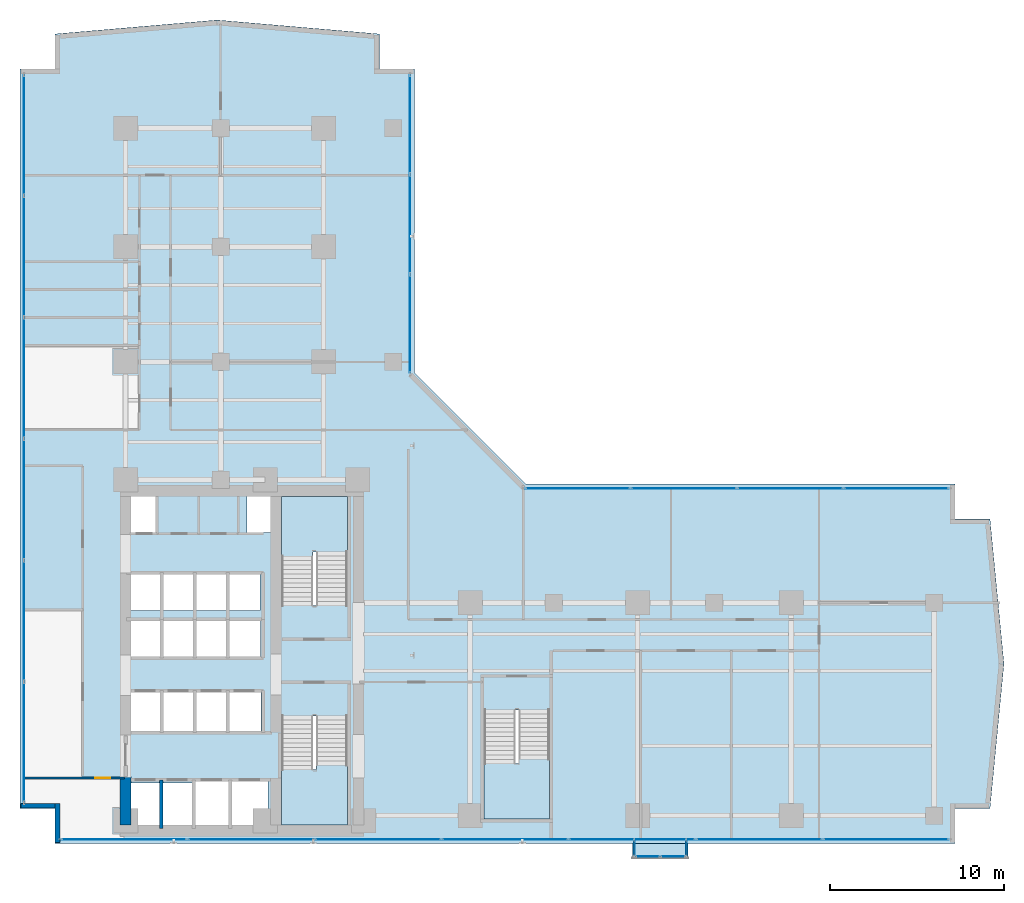
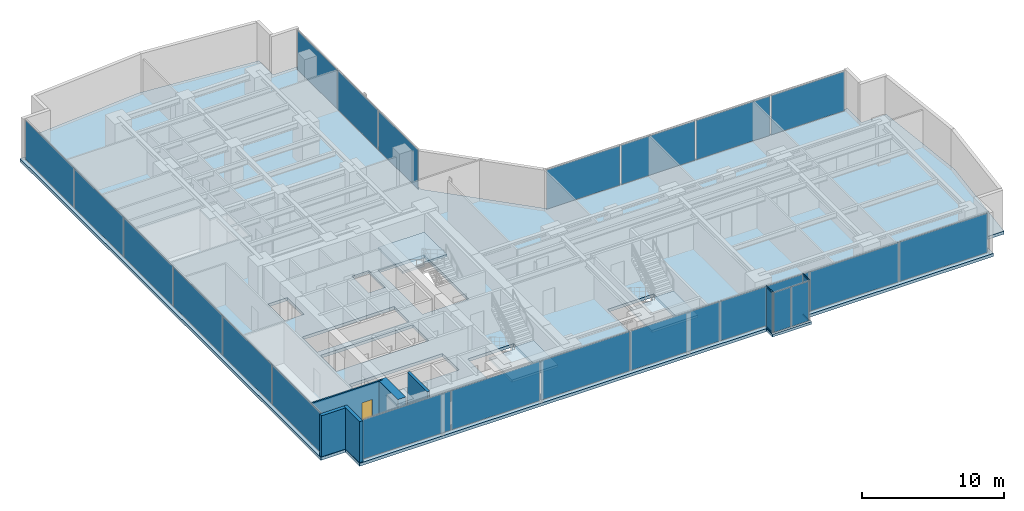
# One storey, part 19 of 28: 24 plates, 5 slabs, 5 walls, 4 members, 1 door, 1 opening, 10 elements without a shape of their own.
"""IFC4 building model written with IfcOpenShell, lengths in metres."""

import ifcopenshell
import ifcopenshell.guid

model = None  # the IFC model being written
_history = None  # IfcOwnerHistory: only IFC2X3 demands one
_inside = {}  # id of a spatial element -> (the spatial element, [elements in it])
_under = {}  # id of a project, library or spatial element -> (it, [spatial elements below it])
_declared = {}  # id of a project -> (the project, [libraries it declares])
_typed = {}  # id of a type object -> (the type object, [elements of that type])
_made_of = {}  # id of a material, layer set ... -> (it, [elements and type objects made of it])


def new_model(schema):
    """Start an empty IFC model of exactly this schema.

    Asked for "IFC4X3", IfcOpenShell would pick the latest addendum, in which some entities
    have other attributes; the version numbers below select the first issue.
    IFC2X3 requires an IfcOwnerHistory on every rooted entity: one is made here for all.
    """
    global model, _history
    if schema == "IFC4X3":
        model = ifcopenshell.file(schema_version=(4, 3, 0, 0))
    else:
        model = ifcopenshell.file(schema=schema)
    _inside.clear()
    _under.clear()
    _declared.clear()
    _typed.clear()
    _made_of.clear()
    _history = None
    if model.schema == "IFC2X3":
        org = make("IfcOrganization", Name="unknown")
        user = make(
            "IfcPersonAndOrganization",
            ThePerson=make("IfcPerson", FamilyName="unknown"),
            TheOrganization=org,
        )
        app = make(
            "IfcApplication",
            ApplicationDeveloper=org,
            Version="unknown",
            ApplicationFullName="unknown",
            ApplicationIdentifier="unknown",
        )
        _history = make(
            "IfcOwnerHistory",
            OwningUser=user,
            OwningApplication=app,
            ChangeAction="ADDED",
            CreationDate=0,
        )
    return model


def make(cls, **values):
    """One entity of the class cls with the attributes given. An attribute that is None is left unset."""
    return model.create_entity(
        cls, **{name: value for name, value in values.items() if value is not None}
    )


def rooted(cls, **values):
    """An entity with a GlobalId (a new one), such as an element, a storey or a relation."""
    return make(cls, GlobalId=ifcopenshell.guid.new(), OwnerHistory=_history, **values)


def si_unit(unit_type, name, prefix=None):
    """IfcSIUnit, for example si_unit("LENGTHUNIT", "METRE", prefix="MILLI")."""
    return make("IfcSIUnit", UnitType=unit_type, Prefix=prefix, Name=name)


def assignment(units):
    """IfcUnitAssignment: the units of a project."""
    return None if units is None else make("IfcUnitAssignment", Units=units)


def point(xyz):
    """IfcCartesianPoint."""
    return None if xyz is None else make("IfcCartesianPoint", Coordinates=xyz)


def direction(xyz):
    """IfcDirection."""
    return None if xyz is None else make("IfcDirection", DirectionRatios=xyz)


def frame(location, z_axis=None, x_axis=None):
    """IfcAxis2Placement3D, a coordinate frame: its origin and axes. An axis left out is left unset."""
    return make(
        "IfcAxis2Placement3D",
        Location=point(location),
        Axis=direction(z_axis),
        RefDirection=direction(x_axis),
    )


def frame_2d(location, x_axis=None):
    """IfcAxis2Placement2D, a coordinate frame in the plane: its origin and x axis."""
    return make(
        "IfcAxis2Placement2D", Location=point(location), RefDirection=direction(x_axis)
    )


def origin():
    """The frame at (0, 0, 0) with its axes left unset."""
    return frame((0.0, 0.0, 0.0))


def origin_with_axes():
    """The frame at (0, 0, 0) with the z axis (0, 0, 1) and the x axis (1, 0, 0) written out."""
    return frame((0.0, 0.0, 0.0), z_axis=(0.0, 0.0, 1.0), x_axis=(1.0, 0.0, 0.0))


def origin_2d():
    """The frame at (0, 0) in the plane with its x axis left unset."""
    return frame_2d((0.0, 0.0))


def place(relative_to, where):
    """IfcLocalPlacement: puts the frame where relative to a parent placement (None: the world)."""
    return make(
        "IfcLocalPlacement", PlacementRelTo=relative_to, RelativePlacement=where
    )


def context(
    kind, dimensions, precision=None, world=None, true_north=None, identifier=None
):
    """IfcGeometricRepresentationContext, for example the 3D "Model" context."""
    return make(
        "IfcGeometricRepresentationContext",
        ContextIdentifier=identifier,
        ContextType=kind,
        CoordinateSpaceDimension=dimensions,
        Precision=precision,
        WorldCoordinateSystem=world,
        TrueNorth=true_north,
    )


def subcontext(parent, identifier, kind, view, scale=None):
    """IfcGeometricRepresentationSubContext, for example "Body" below "Model"."""
    return make(
        "IfcGeometricRepresentationSubContext",
        ContextIdentifier=identifier,
        ContextType=kind,
        ParentContext=parent,
        TargetScale=scale,
        TargetView=view,
    )


def project(units=None, contexts=None):
    """IfcProject with its units and contexts."""
    return rooted(
        "IfcProject",
        Name="project",
        RepresentationContexts=contexts,
        UnitsInContext=assignment(units),
    )


def spatial(cls, under=None, at=None, **own):
    """A site, building, storey or space (cls), placed at a placement, below another one or the project."""
    s = rooted(cls, ObjectPlacement=at, **own)
    if under is not None:
        _under.setdefault(under.id(), (under, []))[1].append(s)
    return s


def polyline(points):
    """IfcPolyline through the points."""
    return make("IfcPolyline", Points=[point(p) for p in points])


def profile(cls, at=None, kind="AREA", **sizes):
    """A parametric profile (cls). Its sizes go by their IFC names, for example OverallWidth=200.0."""
    return make(cls, ProfileType=kind, Position=at, **sizes)


def rectangle(**sizes):
    """IfcRectangleProfileDef."""
    return profile("IfcRectangleProfileDef", **sizes)


def hollow_rectangle(**sizes):
    """IfcRectangleHollowProfileDef."""
    return profile("IfcRectangleHollowProfileDef", **sizes)


def outline(outer, holes=None, kind="AREA"):
    """IfcArbitraryClosedProfileDef: a profile drawn as a closed curve; with holes, ...WithVoids."""
    if holes is None:
        return make("IfcArbitraryClosedProfileDef", ProfileType=kind, OuterCurve=outer)
    return make(
        "IfcArbitraryProfileDefWithVoids",
        ProfileType=kind,
        OuterCurve=outer,
        InnerCurves=holes,
    )


def extrude(swept, where, along, depth):
    """IfcExtrudedAreaSolid: the profile swept, set in the frame where, extruded along a direction by depth."""
    return make(
        "IfcExtrudedAreaSolid",
        SweptArea=swept,
        Position=where,
        ExtrudedDirection=direction(along),
        Depth=depth,
    )


def shape(context_of_items, identifier, shape_type, items):
    """IfcShapeRepresentation: the items that make up one representation, for example the "Body"."""
    return make(
        "IfcShapeRepresentation",
        ContextOfItems=context_of_items,
        RepresentationIdentifier=identifier,
        RepresentationType=shape_type,
        Items=items,
    )


def source(mapping_origin, context_of_items, identifier, shape_type, items):
    """IfcRepresentationMap: a shape defined once, which mapped items show again and again."""
    return make(
        "IfcRepresentationMap",
        MappingOrigin=mapping_origin,
        MappedRepresentation=shape(context_of_items, identifier, shape_type, items),
    )


def transform(
    local_origin,
    x_axis=None,
    y_axis=None,
    z_axis=None,
    scale=None,
    scale2=None,
    scale3=None,
    uniform=True,
):
    """IfcCartesianTransformationOperator3D, or its non-uniform kind. x_axis, y_axis, z_axis: its Axis1, 2, 3."""
    if uniform:
        return make(
            "IfcCartesianTransformationOperator3D",
            Axis1=direction(x_axis),
            Axis2=direction(y_axis),
            LocalOrigin=point(local_origin),
            Scale=scale,
            Axis3=direction(z_axis),
        )
    return make(
        "IfcCartesianTransformationOperator3DnonUniform",
        Axis1=direction(x_axis),
        Axis2=direction(y_axis),
        LocalOrigin=point(local_origin),
        Scale=scale,
        Axis3=direction(z_axis),
        Scale2=scale2,
        Scale3=scale3,
    )


def mapped(mapping_source, mapping_target):
    """IfcMappedItem: shows the shape of a source again, moved by a transform."""
    return make(
        "IfcMappedItem", MappingSource=mapping_source, MappingTarget=mapping_target
    )


def material(Name=None, Category=None):
    """IfcMaterial."""
    return make("IfcMaterial", Name=Name, Category=Category)


def layer(
    of_material, thickness, ventilated=None, Name=None, Category=None, Priority=None
):
    """IfcMaterialLayer: one layer of a wall or slab, of a material (None: an air gap)."""
    return make(
        "IfcMaterialLayer",
        Material=of_material,
        LayerThickness=thickness,
        IsVentilated=ventilated,
        Name=Name,
        Category=Category,
        Priority=Priority,
    )


def layer_set(layers, Name=None):
    """IfcMaterialLayerSet."""
    return make("IfcMaterialLayerSet", MaterialLayers=layers, LayerSetName=Name)


def material_profile(
    of_material, cross_section, Name=None, Category=None, Priority=None
):
    """IfcMaterialProfile: a cross section and its material."""
    return make(
        "IfcMaterialProfile",
        Name=Name,
        Material=of_material,
        Profile=cross_section,
        Priority=Priority,
        Category=Category,
    )


def profile_set(profiles, Name=None, composite=None):
    """IfcMaterialProfileSet."""
    return make(
        "IfcMaterialProfileSet",
        Name=Name,
        MaterialProfiles=profiles,
        CompositeProfile=composite,
    )


def made_of(thing, what):
    """Note that an element or type object is made of a material, layer set ...; save() writes the relation."""
    if what is not None:
        _made_of.setdefault(what.id(), (what, []))[1].append(thing)
    return thing


def type_object(cls, material=None, **own):
    """A type object (cls), such as IfcWallType, which elements share."""
    return made_of(rooted(cls, **own), material)


def element(
    cls,
    number,
    at=None,
    inside=None,
    cuts=None,
    type_object=None,
    material=None,
    context=None,
    identifier="Body",
    shape_type=None,
    held_by="IfcProductDefinitionShape",
    body=None,
    shapes=None,
    **own,
):
    """One element of the class cls, such as IfcWall. Its Tag is "e" and its number.

    at: its placement. inside: the storey or other place that contains it. cuts: it is an
    opening in that element (IfcRelVoidsElement). A single representation is given by context,
    identifier, shape_type and body (its items); several are given by shapes. held_by: the class
    of the entity that holds the representations. save() writes the other relations.
    """
    e = rooted(cls, Tag="e%d" % number, ObjectPlacement=at, **own)
    if body is not None:
        shapes = [shape(context, identifier, shape_type, body)]
    if shapes is not None:
        e.Representation = make(held_by, Representations=shapes)
    if inside is not None:
        _inside.setdefault(inside.id(), (inside, []))[1].append(e)
    if cuts is not None:
        rooted(
            "IfcRelVoidsElement", RelatingBuildingElement=cuts, RelatedOpeningElement=e
        )
    if type_object is not None:
        _typed.setdefault(type_object.id(), (type_object, []))[1].append(e)
    return made_of(e, material)


def fill(opening, filler):
    """IfcRelFillsElement: the door or window that sits in an opening."""
    return rooted(
        "IfcRelFillsElement",
        RelatingOpeningElement=opening,
        RelatedBuildingElement=filler,
    )


def aggregate(whole, parts):
    """IfcRelAggregates: a whole, such as a stair, and the parts it consists of."""
    return rooted("IfcRelAggregates", RelatingObject=whole, RelatedObjects=parts)


def save(model, path):
    """Write the relations noted so far, then the file.

    IfcRelAggregates (storeys below a building ...), IfcRelContainedInSpatialStructure (elements
    in a storey), IfcRelDefinesByType, IfcRelAssociatesMaterial and IfcRelDeclares: one each for
    every whole, place, type object, material and project.
    """
    for whole, parts in _under.values():
        aggregate(whole, parts)
    for where, things in _inside.values():
        rooted(
            "IfcRelContainedInSpatialStructure",
            RelatedElements=things,
            RelatingStructure=where,
        )
    for kind, things in _typed.values():
        rooted("IfcRelDefinesByType", RelatedObjects=things, RelatingType=kind)
    for what, things in _made_of.values():
        rooted("IfcRelAssociatesMaterial", RelatedObjects=things, RelatingMaterial=what)
    for by, libraries in _declared.values():
        rooted("IfcRelDeclares", RelatingContext=by, RelatedDefinitions=libraries)
    model.write(path)


model = new_model("IFC4")

# Units and contexts
model_context = context("Model", 3, precision=1e-05, world=origin(), true_north=direction((0.0, 1.0)))
body_context = subcontext(model_context, "Body", "Model", "MODEL_VIEW")
ifc_project = project(units=[si_unit("LENGTHUNIT", "METRE"), si_unit("AREAUNIT", "SQUARE_METRE"), si_unit("VOLUMEUNIT", "CUBIC_METRE"), si_unit("PLANEANGLEUNIT", "RADIAN"), si_unit("MASSUNIT", "GRAM", prefix="KILO")], contexts=[model_context])

# Site, building, storey
site_placement = place(None, origin())
site = spatial("IfcSite", under=ifc_project, at=site_placement, CompositionType="ELEMENT")
building_placement = place(site_placement, origin())
building = spatial("IfcBuilding", under=site, at=building_placement, Name="Kolvaren Waterfront Exchange", CompositionType="ELEMENT")
storey_placement = place(building_placement, frame((0.0, 0.0, 103.10009765625)))
storey = spatial("IfcBuildingStorey", under=building, at=storey_placement, Name="L26", CompositionType="ELEMENT", Elevation=103.10009765625)

# Curtain wall, members
ifc_material_1 = material(Name="Anodised bronze aluminium 6063-T6", Category="aluminium")
ifc_layer_1 = layer(ifc_material_1, 0.219970703125, Name="Anodised bronze aluminium 6063-T6")
ifc_layer_set_1 = layer_set([ifc_layer_1], Name="Anodised bronze aluminium 6063-T6")
curtain_wall_type_1 = type_object("IfcCurtainWallType", Name="ARC-CW-SYS3", PredefinedType="USERDEFINED", material=ifc_layer_set_1)
curtain_wall_1_placement = place(storey_placement, origin())
curtain_wall_1 = element("IfcCurtainWall", 1, at=curtain_wall_1_placement, inside=storey, type_object=curtain_wall_type_1, Name="L26 stick curtain wall CW3 (CW-L26-BOX-W)", ObjectType="STICK CURTAIN WALL", PredefinedType="USERDEFINED")
ifc_material_profile = material_profile(ifc_material_1, hollow_rectangle(XDim=0.06494140625, YDim=0.1298828125, WallThickness=0.00390625, at=origin_2d()), Name="ALU-TRN-130x65x4")
ifc_profile_set = profile_set([ifc_material_profile], Name="Anodised bronze aluminium 6063-T6")
member_type = type_object("IfcMemberType", Name="ARC-CWT-130", PredefinedType="USERDEFINED", material=ifc_profile_set)
shared_shape_1 = source(origin_with_axes(), body_context, "Body", "SweptSolid", [
    extrude(hollow_rectangle(XDim=0.06494140625, YDim=0.1298828125, WallThickness=0.00390625, at=origin_2d()), origin(), (0.0, 0.0, 1.0), 0.829833984375),
])
member_1_placement = place(storey_placement, frame((36.610107421875, 3.764892578125, 0.032470703125), z_axis=(0.0, -1.0, 0.0), x_axis=(1.0, 0.0, 0.0)))
member_1 = element("IfcMember", 2, at=member_1_placement, type_object=member_type, Name="CW3 transom 1.1", ObjectType="TRANSOM", PredefinedType="USERDEFINED", context=body_context, shape_type="MappedRepresentation", body=[
    mapped(shared_shape_1, transform((0.0, 0.0, 0.0), x_axis=(1.0, 0.0, 0.0), y_axis=(0.0, 1.0, 0.0), z_axis=(0.0, 0.0, 1.0), scale=1.0)),
])
member_2_placement = place(storey_placement, frame((36.610107421875, 3.764892578125, 3.50732421875), z_axis=(0.0, -1.0, 0.0), x_axis=(1.0, 0.0, 0.0)))
member_2 = element("IfcMember", 3, at=member_2_placement, type_object=member_type, Name="CW3 transom 1.2", ObjectType="TRANSOM", PredefinedType="USERDEFINED", context=body_context, shape_type="MappedRepresentation", body=[
    mapped(shared_shape_1, transform((0.0, 0.0, 0.0), x_axis=(1.0, 0.0, 0.0), y_axis=(0.0, 1.0, 0.0), z_axis=(0.0, 0.0, 1.0), scale=1.0)),
])

curtain_wall_2_placement = place(storey_placement, origin())
curtain_wall_2 = element("IfcCurtainWall", 4, at=curtain_wall_2_placement, inside=storey, type_object=curtain_wall_type_1, Name="L26 stick curtain wall CW3 (CW-L26-BOX-E)", ObjectType="STICK CURTAIN WALL", PredefinedType="USERDEFINED")
member_3_placement = place(storey_placement, frame((39.590087890625, 2.93505859375, 0.032470703125), z_axis=(0.0, 1.0, 0.0), x_axis=(-1.0, 0.0, 0.0)))
member_3 = element("IfcMember", 5, at=member_3_placement, type_object=member_type, Name="CW3 transom 1.1", ObjectType="TRANSOM", PredefinedType="USERDEFINED", context=body_context, shape_type="MappedRepresentation", body=[
    mapped(shared_shape_1, transform((0.0, 0.0, 0.0), x_axis=(1.0, 0.0, 0.0), y_axis=(0.0, 1.0, 0.0), z_axis=(0.0, 0.0, 1.0), scale=1.0)),
])
member_4_placement = place(storey_placement, frame((39.590087890625, 2.93505859375, 3.50732421875), z_axis=(0.0, 1.0, 0.0), x_axis=(-1.0, 0.0, 0.0)))
member_4 = element("IfcMember", 6, at=member_4_placement, type_object=member_type, Name="CW3 transom 1.2", ObjectType="TRANSOM", PredefinedType="USERDEFINED", context=body_context, shape_type="MappedRepresentation", body=[
    mapped(shared_shape_1, transform((0.0, 0.0, 0.0), x_axis=(1.0, 0.0, 0.0), y_axis=(0.0, 1.0, 0.0), z_axis=(0.0, 0.0, 1.0), scale=1.0)),
])

# Stair, slab
ifc_material_2 = material(Name="Concrete C40/50", Category="concrete")
stair_type = type_object("IfcStairType", Name="ARC-STAIR-3800", PredefinedType="HALF_TURN_STAIR", material=ifc_material_2)
stair_1_placement = place(storey_placement, origin())
stair_1 = element("IfcStair", 7, at=stair_1_placement, inside=storey, type_object=stair_type, Name="L26 Smoke-proof exit stair ST1", PredefinedType="HALF_TURN_STAIR")
ifc_layer_2 = layer(ifc_material_2, 0.199951171875, Name="Concrete C40/50")
ifc_layer_set_2 = layer_set([ifc_layer_2], Name="Concrete C40/50")
slab_type_1 = type_object("IfcSlabType", Name="STR-LANDING-200", PredefinedType="LANDING", material=ifc_layer_set_2)
slab_1_placement = place(storey_placement, frame((0.0, 0.0, 1.77587890625)))
slab_1 = element("IfcSlab", 8, at=slab_1_placement, type_object=slab_type_1, Name="ST1 landing 1", PredefinedType="LANDING", context=body_context, shape_type="SweptSolid", body=[
    extrude(outline(polyline([(16.39990234375, 7.840087890625), (16.39990234375, 4.64990234375), (20.159912109375, 4.64990234375), (20.159912109375, 8.10009765625), (18.360107421875, 8.10009765625), (18.360107421875, 7.840087890625), (16.39990234375, 7.840087890625)])), origin(), (0.0, 0.0, 1.0), 0.199951171875),
])
aggregate(stair_1, [slab_1])

stair_2_placement = place(storey_placement, origin())
stair_2 = element("IfcStair", 9, at=stair_2_placement, inside=storey, type_object=stair_type, Name="L26 Smoke-proof exit stair ST2", PredefinedType="HALF_TURN_STAIR")
slab_2_placement = place(storey_placement, frame((0.0, 0.0, 1.77587890625)))
slab_2 = element("IfcSlab", 10, at=slab_2_placement, type_object=slab_type_1, Name="ST2 landing 1", PredefinedType="LANDING", context=body_context, shape_type="SweptSolid", body=[
    extrude(outline(polyline([(20.159912109375, 20.31005859375), (20.159912109375, 23.5), (16.39990234375, 23.5), (16.39990234375, 20.050048828125), (18.199951171875, 20.050048828125), (18.199951171875, 20.31005859375), (20.159912109375, 20.31005859375)])), origin(), (0.0, 0.0, 1.0), 0.199951171875),
])
aggregate(stair_2, [slab_2])

stair_3_placement = place(storey_placement, origin())
stair_3 = element("IfcStair", 11, at=stair_3_placement, inside=storey, type_object=stair_type, Name="L26 Exit stair ST3", PredefinedType="HALF_TURN_STAIR")
slab_3_placement = place(storey_placement, frame((0.0, 0.0, 1.77587890625)))
slab_3 = element("IfcSlab", 12, at=slab_3_placement, type_object=slab_type_1, Name="ST3 landing 1", PredefinedType="LANDING", context=body_context, shape_type="SweptSolid", body=[
    extrude(outline(polyline([(28.0, 8.18994140625), (28.0, 5.0), (31.760009765625, 5.0), (31.760009765625, 8.449951171875), (29.9599609375, 8.449951171875), (29.9599609375, 8.18994140625), (28.0, 8.18994140625)])), origin(), (0.0, 0.0, 1.0), 0.199951171875),
])
aggregate(stair_3, [slab_3])

# Slabs
ifc_layer_3 = layer(ifc_material_2, 0.260009765625, Name="Concrete C40/50")
ifc_layer_set_3 = layer_set([ifc_layer_3], Name="Concrete C40/50")
slab_type_2 = type_object("IfcSlabType", Name="STR-SLAB-260", PredefinedType="FLOOR", material=ifc_layer_set_3)
slab_4_placement = place(storey_placement, frame((0.0, 0.0, -0.260009765625)))
element("IfcSlab", 13, at=slab_4_placement, inside=storey, type_object=slab_type_2, Name="L26 structural floor slab", PredefinedType="FLOOR", context=body_context, shape_type="SweptSolid", body=[
    extrude(outline(polyline([(3.39990234375, 3.60009765625), (55.0, 3.60009765625), (55.0, 5.60009765625), (57.0, 5.60009765625), (57.800048828125, 13.89990234375), (57.0, 22.199951171875), (55.0, 22.199951171875), (55.0, 24.199951171875), (30.39990234375, 24.199951171875), (24.0, 30.60009765625), (24.0, 48.0), (22.0, 48.0), (22.0, 50.0), (12.699951171875, 50.800048828125), (3.39990234375, 50.0), (3.39990234375, 48.0), (1.39990234375, 48.0), (1.39990234375, 5.60009765625), (3.39990234375, 5.60009765625), (3.39990234375, 3.60009765625)]), holes=[polyline([(11.320068359375, 7.260009765625), (15.610107421875, 7.260009765625), (15.610107421875, 4.5400390625), (7.719970703125, 4.5400390625), (7.719970703125, 7.06005859375), (11.320068359375, 7.06005859375), (11.320068359375, 7.260009765625)]), polyline([(20.159912109375, 4.64990234375), (16.39990234375, 4.64990234375), (16.39990234375, 10.89990234375), (20.159912109375, 10.89990234375), (20.159912109375, 4.64990234375)]), polyline([(31.760009765625, 5.0), (28.0, 5.0), (28.0, 11.25), (31.760009765625, 11.25), (31.760009765625, 5.0)]), polyline([(15.2099609375, 10.0400390625), (7.6201171875, 10.0400390625), (7.6201171875, 12.360107421875), (15.2099609375, 12.360107421875), (15.2099609375, 10.0400390625)]), polyline([(7.64501953125, 16.4599609375), (15.18505859375, 16.4599609375), (15.18505859375, 14.239990234375), (7.64501953125, 14.239990234375), (7.64501953125, 16.4599609375)]), polyline([(15.159912109375, 16.93994140625), (7.669921875, 16.93994140625), (7.669921875, 19.06005859375), (15.159912109375, 19.06005859375), (15.159912109375, 16.93994140625)]), polyline([(16.39990234375, 23.5), (20.159912109375, 23.5), (20.159912109375, 17.25), (16.39990234375, 17.25), (16.39990234375, 23.5)]), polyline([(7.60009765625, 23.780029296875), (9.179931640625, 23.780029296875), (9.179931640625, 21.419921875), (7.60009765625, 21.419921875), (7.60009765625, 23.780029296875)]), polyline([(15.800048828125, 23.780029296875), (15.800048828125, 21.419921875), (14.419921875, 21.419921875), (14.419921875, 23.780029296875), (15.800048828125, 23.780029296875)])]), origin(), (0.0, 0.0, 1.0), 0.260009765625),
])
ifc_layer_4 = layer(ifc_material_2, 0.219970703125, Name="Concrete C40/50")
ifc_layer_set_4 = layer_set([ifc_layer_4], Name="Concrete C40/50")
slab_type_3 = type_object("IfcSlabType", Name="STR-TERR-220", PredefinedType="FLOOR", material=ifc_layer_set_4)
slab_5_placement = place(storey_placement, frame((0.0, 0.0, -0.22021484375)))
element("IfcSlab", 14, at=slab_5_placement, inside=storey, type_object=slab_type_3, Name="L26 projecting bay-box floor strip", PredefinedType="FLOOR", context=body_context, shape_type="SweptSolid", body=[
    extrude(outline(polyline([(36.5, 2.75), (39.699951171875, 2.75), (39.699951171875, 3.60009765625), (36.5, 3.60009765625), (36.5, 2.75)])), origin(), (0.0, 0.0, 1.0), 0.22021484375),
])

# Plate
ifc_material_3 = material(Name="Bronze tinted bay-box vision glass", Category="aluminium")
ifc_layer_5 = layer(ifc_material_3, 0.02392578125, Name="Bronze tinted bay-box vision glass")
ifc_layer_set_5 = layer_set([ifc_layer_5], Name="Bronze tinted bay-box vision glass")
plate_type_1 = type_object("IfcPlateType", Name="ARC-CWP-24", PredefinedType="CURTAIN_PANEL", material=ifc_layer_set_5)
shared_shape_2 = source(origin_with_axes(), body_context, "Body", "SweptSolid", [
    extrude(rectangle(XDim=0.830078125, YDim=0.02392578125, at=origin_2d()), origin(), (0.0, 0.0, 1.0), 3.409912109375),
])
plate_1_placement = place(storey_placement, frame((36.610107421875, 3.35009765625, 0.06494140625), z_axis=(0.0, 0.0, 1.0), x_axis=(0.0, -1.0, 0.0)))
plate_1 = element("IfcPlate", 15, at=plate_1_placement, type_object=plate_type_1, Name="CW3 panel 1.1", PredefinedType="CURTAIN_PANEL", context=body_context, shape_type="MappedRepresentation", body=[
    mapped(shared_shape_2, transform((0.0, 0.0, 0.0), x_axis=(1.0, 0.0, 0.0), y_axis=(0.0, 1.0, 0.0), z_axis=(0.0, 0.0, 1.0), scale=1.0)),
])

aggregate(curtain_wall_1, [member_1, member_2, plate_1])

plate_2_placement = place(storey_placement, frame((39.590087890625, 3.35009765625, 0.06494140625), z_axis=(0.0, 0.0, 1.0), x_axis=(0.0, 1.0, 0.0)))
plate_2 = element("IfcPlate", 16, at=plate_2_placement, type_object=plate_type_1, Name="CW3 panel 1.1", PredefinedType="CURTAIN_PANEL", context=body_context, shape_type="MappedRepresentation", body=[
    mapped(shared_shape_2, transform((0.0, 0.0, 0.0), x_axis=(1.0, 0.0, 0.0), y_axis=(0.0, 1.0, 0.0), z_axis=(0.0, 0.0, 1.0), scale=1.0)),
])

aggregate(curtain_wall_2, [member_3, member_4, plate_2])

# Curtain wall, plates
curtain_wall_3_placement = place(storey_placement, origin())
curtain_wall_3 = element("IfcCurtainWall", 17, at=curtain_wall_3_placement, inside=storey, type_object=curtain_wall_type_1, Name="L26 stick curtain wall CW3 (CW-L26-BOX)", ObjectType="STICK CURTAIN WALL", PredefinedType="USERDEFINED")
shared_shape_3 = source(origin_with_axes(), body_context, "Body", "SweptSolid", [
    extrude(rectangle(XDim=1.37744140625, YDim=0.02392578125, at=origin_2d()), origin(), (0.0, 0.0, 1.0), 3.409912109375),
])
plate_3_placement = place(storey_placement, frame((37.373779296875, 2.860107421875, 0.06494140625), z_axis=(0.0, 0.0, 1.0), x_axis=(1.0, 0.0, 0.0)))
plate_3 = element("IfcPlate", 18, at=plate_3_placement, type_object=plate_type_1, Name="CW3 panel 1.1", PredefinedType="CURTAIN_PANEL", context=body_context, shape_type="MappedRepresentation", body=[
    mapped(shared_shape_3, transform((0.0, 0.0, 0.0), x_axis=(1.0, 0.0, 0.0), y_axis=(0.0, 1.0, 0.0), z_axis=(0.0, 0.0, 1.0), scale=1.0)),
])
plate_4_placement = place(storey_placement, frame((38.826171875, 2.860107421875, 0.06494140625), z_axis=(0.0, 0.0, 1.0), x_axis=(1.0, 0.0, 0.0)))
plate_4 = element("IfcPlate", 19, at=plate_4_placement, type_object=plate_type_1, Name="CW3 panel 2.1", PredefinedType="CURTAIN_PANEL", context=body_context, shape_type="MappedRepresentation", body=[
    mapped(shared_shape_3, transform((0.0, 0.0, 0.0), x_axis=(1.0, 0.0, 0.0), y_axis=(0.0, 1.0, 0.0), z_axis=(0.0, 0.0, 1.0), scale=1.0)),
])
aggregate(curtain_wall_3, [plate_3, plate_4])

ifc_material_4 = material(Name="Anodised aluminium 6063-T6", Category="aluminium")
ifc_layer_6 = layer(ifc_material_4, 0.219970703125, Name="Anodised aluminium 6063-T6")
ifc_layer_set_6 = layer_set([ifc_layer_6], Name="Anodised aluminium 6063-T6")
curtain_wall_type_2 = type_object("IfcCurtainWallType", Name="ARC-CW-SYS2", PredefinedType="USERDEFINED", material=ifc_layer_set_6)
curtain_wall_4_placement = place(storey_placement, origin())
curtain_wall_4 = element("IfcCurtainWall", 20, at=curtain_wall_4_placement, inside=storey, type_object=curtain_wall_type_2, Name="L26 stick curtain wall CW2 (CW-L26-W)", ObjectType="STICK CURTAIN WALL", PredefinedType="USERDEFINED")
ifc_material_5 = material(Name="Acoustic laminated vision glass", Category="glass")
ifc_layer_7 = layer(ifc_material_5, 0.031982421875, Name="Acoustic laminated vision glass")
ifc_layer_set_7 = layer_set([ifc_layer_7], Name="Acoustic laminated vision glass")
plate_type_2 = type_object("IfcPlateType", Name="ARC-CWP-32", PredefinedType="CURTAIN_PANEL", material=ifc_layer_set_7)
shared_shape_4 = source(origin_with_axes(), body_context, "Body", "SweptSolid", [
    extrude(rectangle(XDim=6.8466796875, YDim=0.031982421875, at=origin_2d()), origin(), (0.0, 0.0, 1.0), 3.389892578125),
])
plate_5_placement = place(storey_placement, frame((1.639892578125, 9.4033203125, 0.0751953125), z_axis=(0.0, 0.0, 1.0), x_axis=(0.0, 1.0, 0.0)))
plate_5 = element("IfcPlate", 21, at=plate_5_placement, type_object=plate_type_2, Name="CW2 panel 1.1", PredefinedType="CURTAIN_PANEL", context=body_context, shape_type="MappedRepresentation", body=[
    mapped(shared_shape_4, transform((0.0, 0.0, 0.0), x_axis=(1.0, 0.0, 0.0), y_axis=(0.0, 1.0, 0.0), z_axis=(0.0, 0.0, 1.0), scale=1.0)),
])
plate_6_placement = place(storey_placement, frame((1.639892578125, 44.19677734375, 0.0751953125), z_axis=(0.0, 0.0, 1.0), x_axis=(0.0, 1.0, 0.0)))
plate_6 = element("IfcPlate", 22, at=plate_6_placement, type_object=plate_type_2, Name="CW2 panel 6.1", PredefinedType="CURTAIN_PANEL", context=body_context, shape_type="MappedRepresentation", body=[
    mapped(shared_shape_4, transform((0.0, 0.0, 0.0), x_axis=(1.0, 0.0, 0.0), y_axis=(0.0, 1.0, 0.0), z_axis=(0.0, 0.0, 1.0), scale=1.0)),
])
shared_shape_5 = source(origin_with_axes(), body_context, "Body", "SweptSolid", [
    extrude(rectangle(XDim=6.88671875, YDim=0.031982421875, at=origin_2d()), origin(), (0.0, 0.0, 1.0), 3.389892578125),
])
plate_7_placement = place(storey_placement, frame((1.639892578125, 16.35009765625, 0.0751953125), z_axis=(0.0, 0.0, 1.0), x_axis=(0.0, 1.0, 0.0)))
plate_7 = element("IfcPlate", 23, at=plate_7_placement, type_object=plate_type_2, Name="CW2 panel 2.1", PredefinedType="CURTAIN_PANEL", context=body_context, shape_type="MappedRepresentation", body=[
    mapped(shared_shape_5, transform((0.0, 0.0, 0.0), x_axis=(1.0, 0.0, 0.0), y_axis=(0.0, 1.0, 0.0), z_axis=(0.0, 0.0, 1.0), scale=1.0)),
])
plate_8_placement = place(storey_placement, frame((1.639892578125, 23.316650390625, 0.0751953125), z_axis=(0.0, 0.0, 1.0), x_axis=(0.0, 1.0, 0.0)))
plate_8 = element("IfcPlate", 24, at=plate_8_placement, type_object=plate_type_2, Name="CW2 panel 3.1", PredefinedType="CURTAIN_PANEL", context=body_context, shape_type="MappedRepresentation", body=[
    mapped(shared_shape_5, transform((0.0, 0.0, 0.0), x_axis=(1.0, 0.0, 0.0), y_axis=(0.0, 1.0, 0.0), z_axis=(0.0, 0.0, 1.0), scale=1.0)),
])
plate_9_placement = place(storey_placement, frame((1.639892578125, 30.283447265625, 0.0751953125), z_axis=(0.0, 0.0, 1.0), x_axis=(0.0, 1.0, 0.0)))
plate_9 = element("IfcPlate", 25, at=plate_9_placement, type_object=plate_type_2, Name="CW2 panel 4.1", PredefinedType="CURTAIN_PANEL", context=body_context, shape_type="MappedRepresentation", body=[
    mapped(shared_shape_5, transform((0.0, 0.0, 0.0), x_axis=(1.0, 0.0, 0.0), y_axis=(0.0, 1.0, 0.0), z_axis=(0.0, 0.0, 1.0), scale=1.0)),
])
plate_10_placement = place(storey_placement, frame((1.639892578125, 37.25, 0.0751953125), z_axis=(0.0, 0.0, 1.0), x_axis=(0.0, 1.0, 0.0)))
plate_10 = element("IfcPlate", 26, at=plate_10_placement, type_object=plate_type_2, Name="CW2 panel 5.1", PredefinedType="CURTAIN_PANEL", context=body_context, shape_type="MappedRepresentation", body=[
    mapped(shared_shape_5, transform((0.0, 0.0, 0.0), x_axis=(1.0, 0.0, 0.0), y_axis=(0.0, 1.0, 0.0), z_axis=(0.0, 0.0, 1.0), scale=1.0)),
])
aggregate(curtain_wall_4, [plate_5, plate_7, plate_8, plate_9, plate_10, plate_6])

ifc_layer_8 = layer(ifc_material_1, 0.219970703125, Name="Anodised bronze aluminium 6063-T6")
ifc_layer_set_8 = layer_set([ifc_layer_8], Name="Anodised bronze aluminium 6063-T6")
curtain_wall_type_3 = type_object("IfcCurtainWallType", Name="ARC-CW-SYS1", PredefinedType="USERDEFINED", material=ifc_layer_set_8)
curtain_wall_5_placement = place(storey_placement, origin())
curtain_wall_5 = element("IfcCurtainWall", 27, at=curtain_wall_5_placement, inside=storey, type_object=curtain_wall_type_3, Name="L26 stick curtain wall CW1 (CW-L26-NE)", ObjectType="STICK CURTAIN WALL", PredefinedType="USERDEFINED")
ifc_material_6 = material(Name="Bronze solar control vision glass", Category="aluminium")
ifc_layer_9 = layer(ifc_material_6, 0.028076171875, Name="Bronze solar control vision glass")
ifc_layer_set_9 = layer_set([ifc_layer_9], Name="Bronze solar control vision glass")
plate_type_3 = type_object("IfcPlateType", Name="ARC-CWP-28", PredefinedType="CURTAIN_PANEL", material=ifc_layer_set_9)
shared_shape_6 = source(origin_with_axes(), body_context, "Body", "SweptSolid", [
    extrude(rectangle(XDim=5.61669921875, YDim=0.028076171875, at=origin_2d()), origin(), (0.0, 0.0, 1.0), 3.389892578125),
])
plate_11_placement = place(storey_placement, frame((23.760009765625, 33.37841796875, 0.0751953125), z_axis=(0.0, 0.0, 1.0), x_axis=(0.0, 1.0, 0.0)))
plate_11 = element("IfcPlate", 28, at=plate_11_placement, type_object=plate_type_3, Name="CW1 panel 1.1", PredefinedType="CURTAIN_PANEL", context=body_context, shape_type="MappedRepresentation", body=[
    mapped(shared_shape_6, transform((0.0, 0.0, 0.0), x_axis=(1.0, 0.0, 0.0), y_axis=(0.0, 1.0, 0.0), z_axis=(0.0, 0.0, 1.0), scale=1.0)),
])
plate_12_placement = place(storey_placement, frame((23.760009765625, 44.811767578125, 0.0751953125), z_axis=(0.0, 0.0, 1.0), x_axis=(0.0, 1.0, 0.0)))
plate_12 = element("IfcPlate", 29, at=plate_12_placement, type_object=plate_type_3, Name="CW1 panel 3.1", PredefinedType="CURTAIN_PANEL", context=body_context, shape_type="MappedRepresentation", body=[
    mapped(shared_shape_6, transform((0.0, 0.0, 0.0), x_axis=(1.0, 0.0, 0.0), y_axis=(0.0, 1.0, 0.0), z_axis=(0.0, 0.0, 1.0), scale=1.0)),
])
shared_shape_7 = source(origin_with_axes(), body_context, "Body", "SweptSolid", [
    extrude(rectangle(XDim=5.65673828125, YDim=0.028076171875, at=origin_2d()), origin(), (0.0, 0.0, 1.0), 3.389892578125),
])
plate_13_placement = place(storey_placement, frame((23.760009765625, 39.094970703125, 0.0751953125), z_axis=(0.0, 0.0, 1.0), x_axis=(0.0, 1.0, 0.0)))
plate_13 = element("IfcPlate", 30, at=plate_13_placement, type_object=plate_type_3, Name="CW1 panel 2.1", PredefinedType="CURTAIN_PANEL", context=body_context, shape_type="MappedRepresentation", body=[
    mapped(shared_shape_7, transform((0.0, 0.0, 0.0), x_axis=(1.0, 0.0, 0.0), y_axis=(0.0, 1.0, 0.0), z_axis=(0.0, 0.0, 1.0), scale=1.0)),
])
aggregate(curtain_wall_5, [plate_11, plate_13, plate_12])

curtain_wall_6_placement = place(storey_placement, origin())
curtain_wall_6 = element("IfcCurtainWall", 31, at=curtain_wall_6_placement, inside=storey, type_object=curtain_wall_type_3, Name="L26 stick curtain wall CW1 (CW-L26-EN)", ObjectType="STICK CURTAIN WALL", PredefinedType="USERDEFINED")
shared_shape_8 = source(origin_with_axes(), body_context, "Body", "SweptSolid", [
    extrude(rectangle(XDim=5.982421875, YDim=0.028076171875, at=origin_2d()), origin(), (0.0, 0.0, 1.0), 3.389892578125),
])
plate_14_placement = place(storey_placement, frame((33.361328125, 23.9599609375, 0.0751953125), z_axis=(0.0, 0.0, 1.0), x_axis=(1.0, 0.0, 0.0)))
plate_14 = element("IfcPlate", 32, at=plate_14_placement, type_object=plate_type_3, Name="CW1 panel 1.1", PredefinedType="CURTAIN_PANEL", context=body_context, shape_type="MappedRepresentation", body=[
    mapped(shared_shape_8, transform((0.0, 0.0, 0.0), x_axis=(1.0, 0.0, 0.0), y_axis=(0.0, 1.0, 0.0), z_axis=(0.0, 0.0, 1.0), scale=1.0)),
])
plate_15_placement = place(storey_placement, frame((51.628662109375, 23.9599609375, 0.0751953125), z_axis=(0.0, 0.0, 1.0), x_axis=(1.0, 0.0, 0.0)))
plate_15 = element("IfcPlate", 33, at=plate_15_placement, type_object=plate_type_3, Name="CW1 panel 4.1", PredefinedType="CURTAIN_PANEL", context=body_context, shape_type="MappedRepresentation", body=[
    mapped(shared_shape_8, transform((0.0, 0.0, 0.0), x_axis=(1.0, 0.0, 0.0), y_axis=(0.0, 1.0, 0.0), z_axis=(0.0, 0.0, 1.0), scale=1.0)),
])
shared_shape_9 = source(origin_with_axes(), body_context, "Body", "SweptSolid", [
    extrude(rectangle(XDim=6.0224609375, YDim=0.028076171875, at=origin_2d()), origin(), (0.0, 0.0, 1.0), 3.389892578125),
])
plate_16_placement = place(storey_placement, frame((39.44384765625, 23.9599609375, 0.0751953125), z_axis=(0.0, 0.0, 1.0), x_axis=(1.0, 0.0, 0.0)))
plate_16 = element("IfcPlate", 34, at=plate_16_placement, type_object=plate_type_3, Name="CW1 panel 2.1", PredefinedType="CURTAIN_PANEL", context=body_context, shape_type="MappedRepresentation", body=[
    mapped(shared_shape_9, transform((0.0, 0.0, 0.0), x_axis=(1.0, 0.0, 0.0), y_axis=(0.0, 1.0, 0.0), z_axis=(0.0, 0.0, 1.0), scale=1.0)),
])
plate_17_placement = place(storey_placement, frame((45.546142578125, 23.9599609375, 0.0751953125), z_axis=(0.0, 0.0, 1.0), x_axis=(1.0, 0.0, 0.0)))
plate_17 = element("IfcPlate", 35, at=plate_17_placement, type_object=plate_type_3, Name="CW1 panel 3.1", PredefinedType="CURTAIN_PANEL", context=body_context, shape_type="MappedRepresentation", body=[
    mapped(shared_shape_9, transform((0.0, 0.0, 0.0), x_axis=(1.0, 0.0, 0.0), y_axis=(0.0, 1.0, 0.0), z_axis=(0.0, 0.0, 1.0), scale=1.0)),
])
aggregate(curtain_wall_6, [plate_14, plate_16, plate_17, plate_15])

curtain_wall_7_placement = place(storey_placement, origin())
curtain_wall_7 = element("IfcCurtainWall", 36, at=curtain_wall_7_placement, inside=storey, type_object=curtain_wall_type_3, Name="L26 stick curtain wall CW1 (CW-L26-S)", ObjectType="STICK CURTAIN WALL", PredefinedType="USERDEFINED")
shared_shape_10 = source(origin_with_axes(), body_context, "Body", "SweptSolid", [
    extrude(rectangle(XDim=7.165771484375, YDim=0.028076171875, at=origin_2d()), origin(), (0.0, 0.0, 1.0), 3.389892578125),
])
plate_18_placement = place(storey_placement, frame((7.36279296875, 3.840087890625, 0.0751953125), z_axis=(0.0, 0.0, 1.0), x_axis=(1.0, 0.0, 0.0)))
plate_18 = element("IfcPlate", 37, at=plate_18_placement, type_object=plate_type_3, Name="CW1 panel 1.1", PredefinedType="CURTAIN_PANEL", context=body_context, shape_type="MappedRepresentation", body=[
    mapped(shared_shape_10, transform((0.0, 0.0, 0.0), x_axis=(1.0, 0.0, 0.0), y_axis=(0.0, 1.0, 0.0), z_axis=(0.0, 0.0, 1.0), scale=1.0)),
])
plate_19_placement = place(storey_placement, frame((51.037109375, 3.840087890625, 0.0751953125), z_axis=(0.0, 0.0, 1.0), x_axis=(1.0, 0.0, 0.0)))
plate_19 = element("IfcPlate", 38, at=plate_19_placement, type_object=plate_type_3, Name="CW1 panel 7.1", PredefinedType="CURTAIN_PANEL", context=body_context, shape_type="MappedRepresentation", body=[
    mapped(shared_shape_10, transform((0.0, 0.0, 0.0), x_axis=(1.0, 0.0, 0.0), y_axis=(0.0, 1.0, 0.0), z_axis=(0.0, 0.0, 1.0), scale=1.0)),
])
shared_shape_11 = source(origin_with_axes(), body_context, "Body", "SweptSolid", [
    extrude(rectangle(XDim=7.205810546875, YDim=0.028076171875, at=origin_2d()), origin(), (0.0, 0.0, 1.0), 3.389892578125),
])
plate_20_placement = place(storey_placement, frame((14.628662109375, 3.840087890625, 0.0751953125), z_axis=(0.0, 0.0, 1.0), x_axis=(1.0, 0.0, 0.0)))
plate_20 = element("IfcPlate", 39, at=plate_20_placement, type_object=plate_type_3, Name="CW1 panel 2.1", PredefinedType="CURTAIN_PANEL", context=body_context, shape_type="MappedRepresentation", body=[
    mapped(shared_shape_11, transform((0.0, 0.0, 0.0), x_axis=(1.0, 0.0, 0.0), y_axis=(0.0, 1.0, 0.0), z_axis=(0.0, 0.0, 1.0), scale=1.0)),
])
plate_21_placement = place(storey_placement, frame((21.914306640625, 3.840087890625, 0.0751953125), z_axis=(0.0, 0.0, 1.0), x_axis=(1.0, 0.0, 0.0)))
plate_21 = element("IfcPlate", 40, at=plate_21_placement, type_object=plate_type_3, Name="CW1 panel 3.1", PredefinedType="CURTAIN_PANEL", context=body_context, shape_type="MappedRepresentation", body=[
    mapped(shared_shape_11, transform((0.0, 0.0, 0.0), x_axis=(1.0, 0.0, 0.0), y_axis=(0.0, 1.0, 0.0), z_axis=(0.0, 0.0, 1.0), scale=1.0)),
])
plate_22_placement = place(storey_placement, frame((29.199951171875, 3.840087890625, 0.0751953125), z_axis=(0.0, 0.0, 1.0), x_axis=(1.0, 0.0, 0.0)))
plate_22 = element("IfcPlate", 41, at=plate_22_placement, type_object=plate_type_3, Name="CW1 panel 4.1", PredefinedType="CURTAIN_PANEL", context=body_context, shape_type="MappedRepresentation", body=[
    mapped(shared_shape_11, transform((0.0, 0.0, 0.0), x_axis=(1.0, 0.0, 0.0), y_axis=(0.0, 1.0, 0.0), z_axis=(0.0, 0.0, 1.0), scale=1.0)),
])
plate_23_placement = place(storey_placement, frame((36.485595703125, 3.840087890625, 0.0751953125), z_axis=(0.0, 0.0, 1.0), x_axis=(1.0, 0.0, 0.0)))
plate_23 = element("IfcPlate", 42, at=plate_23_placement, type_object=plate_type_3, Name="CW1 panel 5.1", PredefinedType="CURTAIN_PANEL", context=body_context, shape_type="MappedRepresentation", body=[
    mapped(shared_shape_11, transform((0.0, 0.0, 0.0), x_axis=(1.0, 0.0, 0.0), y_axis=(0.0, 1.0, 0.0), z_axis=(0.0, 0.0, 1.0), scale=1.0)),
])
plate_24_placement = place(storey_placement, frame((43.771484375, 3.840087890625, 0.0751953125), z_axis=(0.0, 0.0, 1.0), x_axis=(1.0, 0.0, 0.0)))
plate_24 = element("IfcPlate", 43, at=plate_24_placement, type_object=plate_type_3, Name="CW1 panel 6.1", PredefinedType="CURTAIN_PANEL", context=body_context, shape_type="MappedRepresentation", body=[
    mapped(shared_shape_11, transform((0.0, 0.0, 0.0), x_axis=(1.0, 0.0, 0.0), y_axis=(0.0, 1.0, 0.0), z_axis=(0.0, 0.0, 1.0), scale=1.0)),
])
aggregate(curtain_wall_7, [plate_18, plate_20, plate_21, plate_22, plate_23, plate_24, plate_19])

# Walls
ifc_material_7 = material(Name="Precast concrete C40/50", Category="concrete")
ifc_layer_10 = layer(ifc_material_7, 0.280029296875, Name="Precast concrete C40/50")
ifc_layer_set_10 = layer_set([ifc_layer_10], Name="Precast concrete C40/50")
wall_type_1 = type_object("IfcWallType", Name="ARC-EXT-TERR-280", PredefinedType="SOLIDWALL", material=ifc_layer_set_10)
wall_1_placement = place(storey_placement, frame((3.56005859375, 3.659912109375, 0.0), z_axis=(0.0, 0.0, 1.0), x_axis=(0.0, 1.0, 0.0)))
element("IfcWall", 44, at=wall_1_placement, inside=storey, type_object=wall_type_1, Name="L26 notched corner spandrel pier SW-A", PredefinedType="SOLIDWALL", context=body_context, shape_type="SweptSolid", body=[
    extrude(rectangle(XDim=2.239990234375, YDim=0.280029296875, at=frame_2d((1.1201171875, 0.0))), origin(), (0.0, 0.0, 1.0), 3.539794921875),
])
wall_2_placement = place(storey_placement, frame((1.4599609375, 5.760009765625, 0.0), z_axis=(0.0, 0.0, 1.0), x_axis=(1.0, 0.0, 0.0)))
element("IfcWall", 45, at=wall_2_placement, inside=storey, type_object=wall_type_1, Name="L26 notched corner spandrel pier SW-B", PredefinedType="SOLIDWALL", context=body_context, shape_type="SweptSolid", body=[
    extrude(rectangle(XDim=1.9599609375, YDim=0.280029296875, at=frame_2d((0.97998046875, 0.0))), origin(), (0.0, 0.0, 1.0), 3.539794921875),
])

# Wall, opening, door
ifc_material_8 = material(Name="Acoustic gypsum steel stud", Category="steel")
ifc_layer_11 = layer(ifc_material_8, 0.125, Name="Acoustic gypsum steel stud")
ifc_layer_set_11 = layer_set([ifc_layer_11], Name="Acoustic gypsum steel stud")
wall_type_2 = type_object("IfcWallType", Name="ARC-PART-125", PredefinedType="PARTITIONING", material=ifc_layer_set_11)
wall_3_placement = place(storey_placement, frame((1.639892578125, 7.35009765625, 0.0), z_axis=(0.0, 0.0, 1.0), x_axis=(1.0, 0.0, 0.0)))
wall_3 = element("IfcWall", 46, at=wall_3_placement, inside=storey, type_object=wall_type_2, Name="L26 interior wall PW-L26-SWC-N", PredefinedType="PARTITIONING", context=body_context, shape_type="SweptSolid", body=[
    extrude(rectangle(XDim=5.760009765625, YDim=0.125, at=frame_2d((2.8798828125, 0.0))), origin(), (0.0, 0.0, 1.0), 3.539794921875),
])
opening_placement = place(wall_3_placement, frame((4.086669921875, 0.0, 0.0)))
opening = element("IfcOpeningElement", 47, at=opening_placement, cuts=wall_3, Name="Opening D01", PredefinedType="OPENING", context=body_context, shape_type="SweptSolid", body=[
    extrude(rectangle(XDim=0.85009765625, YDim=2.14990234375, at=frame_2d((0.425048828125, 1.074951171875))), frame((0.0, 0.072509765625, 0.0), z_axis=(0.0, -1.0, 0.0), x_axis=(1.0, 0.0, 0.0)), (0.0, 0.0, 1.0), 0.14501953125),
])
ifc_material_9 = material(Name="Oak veneer timber leaf", Category="wood")
door_type = type_object("IfcDoorType", Name="ARC-DR-900", OperationType="NOTDEFINED", PredefinedType="DOOR", material=ifc_material_9)
door_placement = place(opening_placement, origin())
door = element("IfcDoor", 48, at=door_placement, inside=storey, type_object=door_type, Name="L26 door DR-L26-SWC-D (D01)", OperationType="SINGLE_SWING_RIGHT", OverallHeight=2.14990234375, OverallWidth=0.85009765625, PredefinedType="DOOR", context=body_context, shape_type="SweptSolid", body=[
    extrude(rectangle(XDim=0.85009765625, YDim=2.14990234375, at=frame_2d((0.425048828125, 1.074951171875))), frame((0.0, 0.02490234375, 0.0), z_axis=(0.0, -1.0, 0.0), x_axis=(1.0, 0.0, 0.0)), (0.0, 0.0, 1.0), 0.050048828125),
])
fill(opening, door)

# Walls
ifc_layer_12 = layer(ifc_material_2, 0.199951171875, Name="Concrete C40/50")
ifc_layer_set_12 = layer_set([ifc_layer_12], Name="Concrete C40/50")
wall_type_3 = type_object("IfcWallType", Name="ARC-SHAFT-200", PredefinedType="PARTITIONING", material=ifc_layer_set_12)
wall_4_placement = place(storey_placement, frame((9.5, 4.449951171875, 0.0), z_axis=(0.0, 0.0, 1.0), x_axis=(0.0, 1.0, 0.0)))
element("IfcWall", 49, at=wall_4_placement, inside=storey, type_object=wall_type_3, Name="L26 interior wall PW-L26-SH1-DIV-95", PredefinedType="PARTITIONING", context=body_context, shape_type="SweptSolid", body=[
    extrude(rectangle(XDim=2.800048828125, YDim=0.199951171875, at=frame_2d((1.39990234375, 0.0))), origin(), (0.0, 0.0, 1.0), 3.539794921875),
])
ifc_material_10 = material(Name="Concrete C60/75", Category="concrete")
ifc_layer_13 = layer(ifc_material_10, 0.64990234375, Name="Concrete C60/75")
ifc_layer_set_13 = layer_set([ifc_layer_13], Name="Concrete C60/75")
wall_type_4 = type_object("IfcWallType", Name="STR-CWALL-650", PredefinedType="SHEAR", material=ifc_layer_set_13)
wall_5_placement = place(storey_placement, frame((7.449951171875, 4.64990234375, 0.0), z_axis=(0.0, 0.0, 1.0), x_axis=(0.0, 1.0, 0.0)))
element("IfcWall", 50, at=wall_5_placement, inside=storey, type_object=wall_type_4, Name="L26 rear-core shear wall W1", PredefinedType="SHEAR", context=body_context, shape_type="SweptSolid", body=[
    extrude(rectangle(XDim=2.800048828125, YDim=0.64990234375, at=frame_2d((1.39990234375, 0.0))), origin(), (0.0, 0.0, 1.0), 3.539794921875),
])

save(model, "model.ifc")
